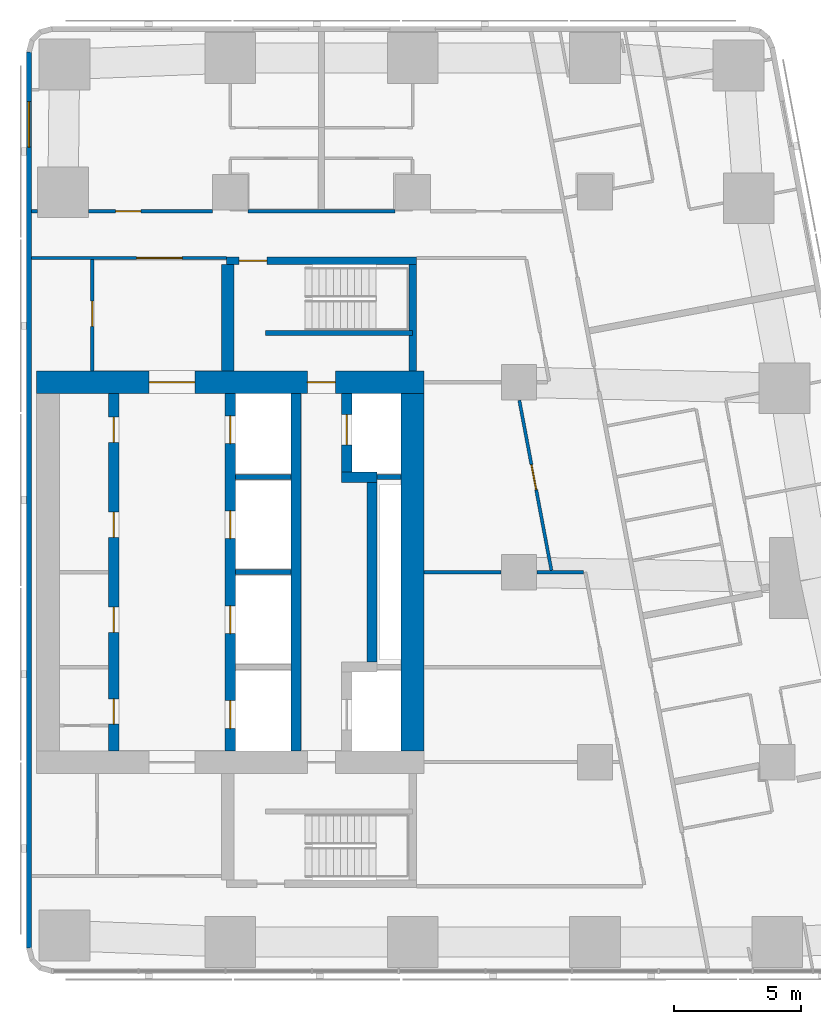
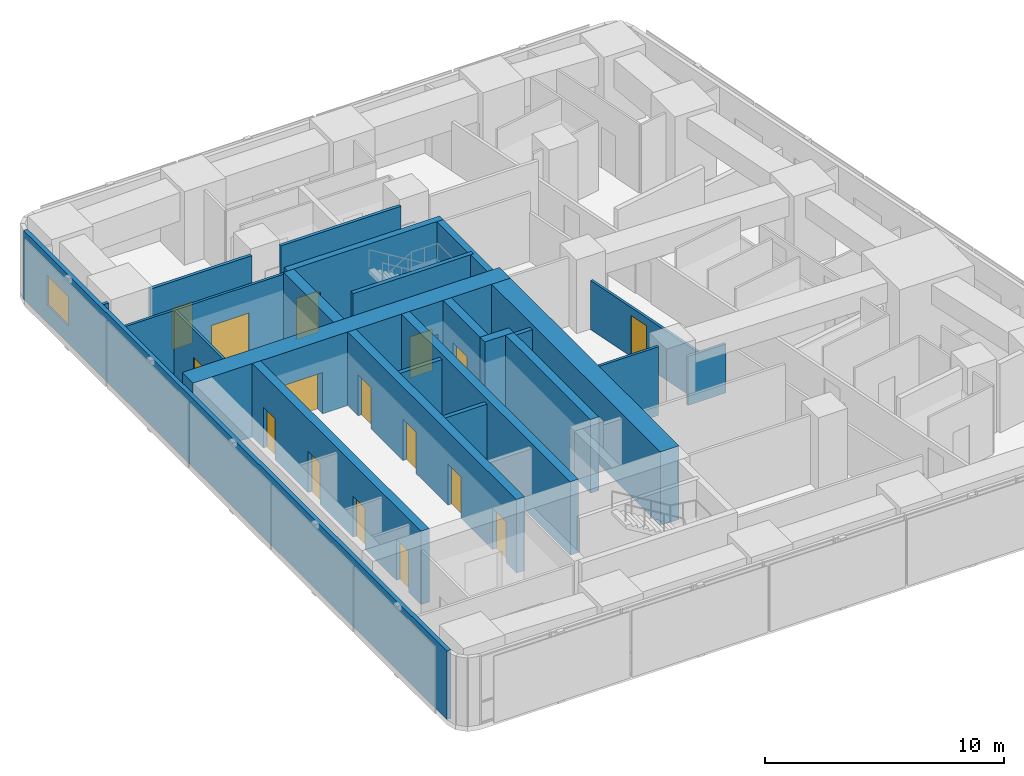
# One storey, part 6 of 11: 24 walls, 16 doors, 1 window, 17 openings.
"""IFC4 building model written with IfcOpenShell, lengths in metres."""

import ifcopenshell
import ifcopenshell.guid

model = None  # the IFC model being written
_history = None  # IfcOwnerHistory: only IFC2X3 demands one
_inside = {}  # id of a spatial element -> (the spatial element, [elements in it])
_under = {}  # id of a project, library or spatial element -> (it, [spatial elements below it])
_declared = {}  # id of a project -> (the project, [libraries it declares])
_typed = {}  # id of a type object -> (the type object, [elements of that type])
_made_of = {}  # id of a material, layer set ... -> (it, [elements and type objects made of it])


def new_model(schema):
    """Start an empty IFC model of exactly this schema.

    Asked for "IFC4X3", IfcOpenShell would pick the latest addendum, in which some entities
    have other attributes; the version numbers below select the first issue.
    IFC2X3 requires an IfcOwnerHistory on every rooted entity: one is made here for all.
    """
    global model, _history
    if schema == "IFC4X3":
        model = ifcopenshell.file(schema_version=(4, 3, 0, 0))
    else:
        model = ifcopenshell.file(schema=schema)
    _inside.clear()
    _under.clear()
    _declared.clear()
    _typed.clear()
    _made_of.clear()
    _history = None
    if model.schema == "IFC2X3":
        org = make("IfcOrganization", Name="unknown")
        user = make(
            "IfcPersonAndOrganization",
            ThePerson=make("IfcPerson", FamilyName="unknown"),
            TheOrganization=org,
        )
        app = make(
            "IfcApplication",
            ApplicationDeveloper=org,
            Version="unknown",
            ApplicationFullName="unknown",
            ApplicationIdentifier="unknown",
        )
        _history = make(
            "IfcOwnerHistory",
            OwningUser=user,
            OwningApplication=app,
            ChangeAction="ADDED",
            CreationDate=0,
        )
    return model


def make(cls, **values):
    """One entity of the class cls with the attributes given. An attribute that is None is left unset."""
    return model.create_entity(
        cls, **{name: value for name, value in values.items() if value is not None}
    )


def rooted(cls, **values):
    """An entity with a GlobalId (a new one), such as an element, a storey or a relation."""
    return make(cls, GlobalId=ifcopenshell.guid.new(), OwnerHistory=_history, **values)


def si_unit(unit_type, name, prefix=None):
    """IfcSIUnit, for example si_unit("LENGTHUNIT", "METRE", prefix="MILLI")."""
    return make("IfcSIUnit", UnitType=unit_type, Prefix=prefix, Name=name)


def assignment(units):
    """IfcUnitAssignment: the units of a project."""
    return None if units is None else make("IfcUnitAssignment", Units=units)


def point(xyz):
    """IfcCartesianPoint."""
    return None if xyz is None else make("IfcCartesianPoint", Coordinates=xyz)


def direction(xyz):
    """IfcDirection."""
    return None if xyz is None else make("IfcDirection", DirectionRatios=xyz)


def frame(location, z_axis=None, x_axis=None):
    """IfcAxis2Placement3D, a coordinate frame: its origin and axes. An axis left out is left unset."""
    return make(
        "IfcAxis2Placement3D",
        Location=point(location),
        Axis=direction(z_axis),
        RefDirection=direction(x_axis),
    )


def frame_2d(location, x_axis=None):
    """IfcAxis2Placement2D, a coordinate frame in the plane: its origin and x axis."""
    return make(
        "IfcAxis2Placement2D", Location=point(location), RefDirection=direction(x_axis)
    )


def origin():
    """The frame at (0, 0, 0) with its axes left unset."""
    return frame((0.0, 0.0, 0.0))


def place(relative_to, where):
    """IfcLocalPlacement: puts the frame where relative to a parent placement (None: the world)."""
    return make(
        "IfcLocalPlacement", PlacementRelTo=relative_to, RelativePlacement=where
    )


def context(
    kind, dimensions, precision=None, world=None, true_north=None, identifier=None
):
    """IfcGeometricRepresentationContext, for example the 3D "Model" context."""
    return make(
        "IfcGeometricRepresentationContext",
        ContextIdentifier=identifier,
        ContextType=kind,
        CoordinateSpaceDimension=dimensions,
        Precision=precision,
        WorldCoordinateSystem=world,
        TrueNorth=true_north,
    )


def subcontext(parent, identifier, kind, view, scale=None):
    """IfcGeometricRepresentationSubContext, for example "Body" below "Model"."""
    return make(
        "IfcGeometricRepresentationSubContext",
        ContextIdentifier=identifier,
        ContextType=kind,
        ParentContext=parent,
        TargetScale=scale,
        TargetView=view,
    )


def project(units=None, contexts=None):
    """IfcProject with its units and contexts."""
    return rooted(
        "IfcProject",
        Name="project",
        RepresentationContexts=contexts,
        UnitsInContext=assignment(units),
    )


def spatial(cls, under=None, at=None, **own):
    """A site, building, storey or space (cls), placed at a placement, below another one or the project."""
    s = rooted(cls, ObjectPlacement=at, **own)
    if under is not None:
        _under.setdefault(under.id(), (under, []))[1].append(s)
    return s


def profile(cls, at=None, kind="AREA", **sizes):
    """A parametric profile (cls). Its sizes go by their IFC names, for example OverallWidth=200.0."""
    return make(cls, ProfileType=kind, Position=at, **sizes)


def rectangle(**sizes):
    """IfcRectangleProfileDef."""
    return profile("IfcRectangleProfileDef", **sizes)


def extrude(swept, where, along, depth):
    """IfcExtrudedAreaSolid: the profile swept, set in the frame where, extruded along a direction by depth."""
    return make(
        "IfcExtrudedAreaSolid",
        SweptArea=swept,
        Position=where,
        ExtrudedDirection=direction(along),
        Depth=depth,
    )


def shape(context_of_items, identifier, shape_type, items):
    """IfcShapeRepresentation: the items that make up one representation, for example the "Body"."""
    return make(
        "IfcShapeRepresentation",
        ContextOfItems=context_of_items,
        RepresentationIdentifier=identifier,
        RepresentationType=shape_type,
        Items=items,
    )


def material(Name=None, Category=None):
    """IfcMaterial."""
    return make("IfcMaterial", Name=Name, Category=Category)


def layer(
    of_material, thickness, ventilated=None, Name=None, Category=None, Priority=None
):
    """IfcMaterialLayer: one layer of a wall or slab, of a material (None: an air gap)."""
    return make(
        "IfcMaterialLayer",
        Material=of_material,
        LayerThickness=thickness,
        IsVentilated=ventilated,
        Name=Name,
        Category=Category,
        Priority=Priority,
    )


def layer_set(layers, Name=None):
    """IfcMaterialLayerSet."""
    return make("IfcMaterialLayerSet", MaterialLayers=layers, LayerSetName=Name)


def made_of(thing, what):
    """Note that an element or type object is made of a material, layer set ...; save() writes the relation."""
    if what is not None:
        _made_of.setdefault(what.id(), (what, []))[1].append(thing)
    return thing


def type_object(cls, material=None, **own):
    """A type object (cls), such as IfcWallType, which elements share."""
    return made_of(rooted(cls, **own), material)


def element(
    cls,
    number,
    at=None,
    inside=None,
    cuts=None,
    type_object=None,
    material=None,
    context=None,
    identifier="Body",
    shape_type=None,
    held_by="IfcProductDefinitionShape",
    body=None,
    shapes=None,
    **own,
):
    """One element of the class cls, such as IfcWall. Its Tag is "e" and its number.

    at: its placement. inside: the storey or other place that contains it. cuts: it is an
    opening in that element (IfcRelVoidsElement). A single representation is given by context,
    identifier, shape_type and body (its items); several are given by shapes. held_by: the class
    of the entity that holds the representations. save() writes the other relations.
    """
    e = rooted(cls, Tag="e%d" % number, ObjectPlacement=at, **own)
    if body is not None:
        shapes = [shape(context, identifier, shape_type, body)]
    if shapes is not None:
        e.Representation = make(held_by, Representations=shapes)
    if inside is not None:
        _inside.setdefault(inside.id(), (inside, []))[1].append(e)
    if cuts is not None:
        rooted(
            "IfcRelVoidsElement", RelatingBuildingElement=cuts, RelatedOpeningElement=e
        )
    if type_object is not None:
        _typed.setdefault(type_object.id(), (type_object, []))[1].append(e)
    return made_of(e, material)


def fill(opening, filler):
    """IfcRelFillsElement: the door or window that sits in an opening."""
    return rooted(
        "IfcRelFillsElement",
        RelatingOpeningElement=opening,
        RelatedBuildingElement=filler,
    )


def aggregate(whole, parts):
    """IfcRelAggregates: a whole, such as a stair, and the parts it consists of."""
    return rooted("IfcRelAggregates", RelatingObject=whole, RelatedObjects=parts)


def save(model, path):
    """Write the relations noted so far, then the file.

    IfcRelAggregates (storeys below a building ...), IfcRelContainedInSpatialStructure (elements
    in a storey), IfcRelDefinesByType, IfcRelAssociatesMaterial and IfcRelDeclares: one each for
    every whole, place, type object, material and project.
    """
    for whole, parts in _under.values():
        aggregate(whole, parts)
    for where, things in _inside.values():
        rooted(
            "IfcRelContainedInSpatialStructure",
            RelatedElements=things,
            RelatingStructure=where,
        )
    for kind, things in _typed.values():
        rooted("IfcRelDefinesByType", RelatedObjects=things, RelatingType=kind)
    for what, things in _made_of.values():
        rooted("IfcRelAssociatesMaterial", RelatedObjects=things, RelatingMaterial=what)
    for by, libraries in _declared.values():
        rooted("IfcRelDeclares", RelatingContext=by, RelatedDefinitions=libraries)
    model.write(path)


model = new_model("IFC4")

# Units and contexts
model_context = context("Model", 3, precision=1e-05, world=origin(), true_north=direction((0.0, 1.0)))
body_context = subcontext(model_context, "Body", "Model", "MODEL_VIEW")
ifc_project = project(units=[si_unit("LENGTHUNIT", "METRE"), si_unit("AREAUNIT", "SQUARE_METRE"), si_unit("VOLUMEUNIT", "CUBIC_METRE"), si_unit("PLANEANGLEUNIT", "RADIAN"), si_unit("MASSUNIT", "GRAM", prefix="KILO")], contexts=[model_context])

# Site, building, storey
site_placement = place(None, origin())
site = spatial("IfcSite", under=ifc_project, at=site_placement, CompositionType="ELEMENT")
building_placement = place(site_placement, origin())
building = spatial("IfcBuilding", under=site, at=building_placement, Name="Sheger Commons Tower", CompositionType="ELEMENT")
storey_placement = place(building_placement, frame((0.0, 0.0, 255.35009765625)))
storey = spatial("IfcBuildingStorey", under=building, at=storey_placement, Name="L65", CompositionType="ELEMENT", Elevation=255.35009765625)

# Wall, openings, doors
ifc_material_1 = material(Name="Concrete C50/60", Category="concrete")
ifc_layer_1 = layer(ifc_material_1, 0.39990234375)
ifc_layer_set_1 = layer_set([ifc_layer_1], Name="CORE INNER WALL 400")
wall_type_1 = type_object("IfcWallType", Name="CORE INNER WALL 400", PredefinedType="SHEAR", material=ifc_layer_set_1)
wall_1_placement = place(storey_placement, frame((17.0, 15.449951171875, 0.0), z_axis=(0.0, 0.0, 1.0), x_axis=(0.0, 1.0, 0.0)))
wall_1 = element("IfcWall", 1, at=wall_1_placement, inside=storey, type_object=wall_type_1, Name="Core inner wall A L65", PredefinedType="SHEAR", context=body_context, shape_type="SweptSolid", body=[
    extrude(rectangle(XDim=14.10009765625, YDim=0.39990234375, at=frame_2d((7.050048828125, 0.0))), origin(), (0.0, 0.0, 1.0), 3.75),
])
opening_1_placement = place(wall_1_placement, frame((1.050048828125, 0.0, 0.0)))
opening_1 = element("IfcOpeningElement", 2, at=opening_1_placement, cuts=wall_1, Name="Opening D4", PredefinedType="OPENING", context=body_context, shape_type="SweptSolid", body=[
    extrude(rectangle(XDim=1.0, YDim=2.10009765625, at=frame_2d((0.5, 1.050048828125))), frame((0.0, 0.2099609375, 0.0), z_axis=(0.0, -1.0, 0.0), x_axis=(1.0, 0.0, 0.0)), (0.0, 0.0, 1.0), 0.419921875),
])
opening_2_placement = place(wall_1_placement, frame((4.675048828125, 0.0, 0.0)))
opening_2 = element("IfcOpeningElement", 3, at=opening_2_placement, cuts=wall_1, Name="Opening D4", PredefinedType="OPENING", context=body_context, shape_type="SweptSolid", body=[
    extrude(rectangle(XDim=1.0, YDim=2.10009765625, at=frame_2d((0.5, 1.050048828125))), frame((0.0, 0.2099609375, 0.0), z_axis=(0.0, -1.0, 0.0), x_axis=(1.0, 0.0, 0.0)), (0.0, 0.0, 1.0), 0.419921875),
])
opening_3_placement = place(wall_1_placement, frame((8.425048828125, 0.0, 0.0)))
opening_3 = element("IfcOpeningElement", 4, at=opening_3_placement, cuts=wall_1, Name="Opening D4", PredefinedType="OPENING", context=body_context, shape_type="SweptSolid", body=[
    extrude(rectangle(XDim=1.0, YDim=2.10009765625, at=frame_2d((0.5, 1.050048828125))), frame((0.0, 0.2099609375, 0.0), z_axis=(0.0, -1.0, 0.0), x_axis=(1.0, 0.0, 0.0)), (0.0, 0.0, 1.0), 0.419921875),
])
opening_4_placement = place(wall_1_placement, frame((12.175048828125, 0.0, 0.0)))
opening_4 = element("IfcOpeningElement", 5, at=opening_4_placement, cuts=wall_1, Name="Opening D4", PredefinedType="OPENING", context=body_context, shape_type="SweptSolid", body=[
    extrude(rectangle(XDim=1.0, YDim=2.10009765625, at=frame_2d((0.5, 1.050048828125))), frame((0.0, 0.2099609375, 0.0), z_axis=(0.0, -1.0, 0.0), x_axis=(1.0, 0.0, 0.0)), (0.0, 0.0, 1.0), 0.419921875),
])
ifc_material_2 = material(Name="Steel door set, fire rated", Category="steel")
door_type_1 = type_object("IfcDoorType", Name="SERVICE DOOR 1000x2100", OperationType="NOTDEFINED", PredefinedType="DOOR", material=ifc_material_2)
door_1_placement = place(opening_1_placement, origin())
door_1 = element("IfcDoor", 6, at=door_1_placement, inside=storey, type_object=door_type_1, Name="Cleaner's store door", OperationType="SINGLE_SWING_LEFT", OverallHeight=2.10009765625, OverallWidth=1.0, PredefinedType="DOOR", context=body_context, shape_type="SweptSolid", body=[
    extrude(rectangle(XDim=1.0, YDim=2.10009765625, at=frame_2d((0.5, 1.050048828125))), frame((0.0, 0.02490234375, 0.0), z_axis=(0.0, -1.0, 0.0), x_axis=(1.0, 0.0, 0.0)), (0.0, 0.0, 1.0), 0.050048828125),
])
fill(opening_1, door_1)
door_2_placement = place(opening_2_placement, origin())
door_2 = element("IfcDoor", 7, at=door_2_placement, inside=storey, type_object=door_type_1, Name="IT and telecom room door", OperationType="SINGLE_SWING_RIGHT", OverallHeight=2.10009765625, OverallWidth=1.0, PredefinedType="DOOR", context=body_context, shape_type="SweptSolid", body=[
    extrude(rectangle(XDim=1.0, YDim=2.10009765625, at=frame_2d((0.5, 1.050048828125))), frame((0.0, 0.02490234375, 0.0), z_axis=(0.0, -1.0, 0.0), x_axis=(1.0, 0.0, 0.0)), (0.0, 0.0, 1.0), 0.050048828125),
])
fill(opening_2, door_2)
door_3_placement = place(opening_3_placement, origin())
door_3 = element("IfcDoor", 8, at=door_3_placement, inside=storey, type_object=door_type_1, Name="Residents' pantry and vending room door", OperationType="SINGLE_SWING_LEFT", OverallHeight=2.10009765625, OverallWidth=1.0, PredefinedType="DOOR", context=body_context, shape_type="SweptSolid", body=[
    extrude(rectangle(XDim=1.0, YDim=2.10009765625, at=frame_2d((0.5, 1.050048828125))), frame((0.0, 0.02490234375, 0.0), z_axis=(0.0, -1.0, 0.0), x_axis=(1.0, 0.0, 0.0)), (0.0, 0.0, 1.0), 0.050048828125),
])
fill(opening_3, door_3)
door_4_placement = place(opening_4_placement, origin())
door_4 = element("IfcDoor", 9, at=door_4_placement, inside=storey, type_object=door_type_1, Name="Residents' pantry and vending room door", OperationType="SINGLE_SWING_RIGHT", OverallHeight=2.10009765625, OverallWidth=1.0, PredefinedType="DOOR", context=body_context, shape_type="SweptSolid", body=[
    extrude(rectangle(XDim=1.0, YDim=2.10009765625, at=frame_2d((0.5, 1.050048828125))), frame((0.0, 0.02490234375, 0.0), z_axis=(0.0, -1.0, 0.0), x_axis=(1.0, 0.0, 0.0)), (0.0, 0.0, 1.0), 0.050048828125),
])
fill(opening_4, door_4)

wall_2_placement = place(storey_placement, frame((21.60009765625, 15.449951171875, 0.0), z_axis=(0.0, 0.0, 1.0), x_axis=(0.0, 1.0, 0.0)))
wall_2 = element("IfcWall", 10, at=wall_2_placement, inside=storey, type_object=wall_type_1, Name="Core inner wall L L65", PredefinedType="SHEAR", context=body_context, shape_type="SweptSolid", body=[
    extrude(rectangle(XDim=14.10009765625, YDim=0.39990234375, at=frame_2d((7.050048828125, 0.0))), origin(), (0.0, 0.0, 1.0), 3.75),
])
opening_5_placement = place(wall_2_placement, frame((0.875, 0.0, 0.0)))
opening_5 = element("IfcOpeningElement", 11, at=opening_5_placement, cuts=wall_2, Name="Opening LD", PredefinedType="OPENING", context=body_context, shape_type="SweptSolid", body=[
    extrude(rectangle(XDim=1.10009765625, YDim=2.10009765625, at=frame_2d((0.550048828125, 1.050048828125))), frame((0.0, 0.2099609375, 0.0), z_axis=(0.0, -1.0, 0.0), x_axis=(1.0, 0.0, 0.0)), (0.0, 0.0, 1.0), 0.419921875),
])
opening_6_placement = place(wall_2_placement, frame((4.625, 0.0, 0.0)))
opening_6 = element("IfcOpeningElement", 12, at=opening_6_placement, cuts=wall_2, Name="Opening LD", PredefinedType="OPENING", context=body_context, shape_type="SweptSolid", body=[
    extrude(rectangle(XDim=1.10009765625, YDim=2.10009765625, at=frame_2d((0.550048828125, 1.050048828125))), frame((0.0, 0.2099609375, 0.0), z_axis=(0.0, -1.0, 0.0), x_axis=(1.0, 0.0, 0.0)), (0.0, 0.0, 1.0), 0.419921875),
])
opening_7_placement = place(wall_2_placement, frame((8.375, 0.0, 0.0)))
opening_7 = element("IfcOpeningElement", 13, at=opening_7_placement, cuts=wall_2, Name="Opening LD", PredefinedType="OPENING", context=body_context, shape_type="SweptSolid", body=[
    extrude(rectangle(XDim=1.10009765625, YDim=2.10009765625, at=frame_2d((0.550048828125, 1.050048828125))), frame((0.0, 0.2099609375, 0.0), z_axis=(0.0, -1.0, 0.0), x_axis=(1.0, 0.0, 0.0)), (0.0, 0.0, 1.0), 0.419921875),
])
opening_8_placement = place(wall_2_placement, frame((12.125, 0.0, 0.0)))
opening_8 = element("IfcOpeningElement", 14, at=opening_8_placement, cuts=wall_2, Name="Opening LD", PredefinedType="OPENING", context=body_context, shape_type="SweptSolid", body=[
    extrude(rectangle(XDim=1.10009765625, YDim=2.10009765625, at=frame_2d((0.550048828125, 1.050048828125))), frame((0.0, 0.2099609375, 0.0), z_axis=(0.0, -1.0, 0.0), x_axis=(1.0, 0.0, 0.0)), (0.0, 0.0, 1.0), 0.419921875),
])
ifc_material_3 = material(Name="Steel door set, fire rated", Category="steel")
door_type_2 = type_object("IfcDoorType", Name="LIFT LANDING DOOR 1100x2100", OperationType="DOUBLE_DOOR_SLIDING", PredefinedType="DOOR", material=ifc_material_3)
door_5_placement = place(opening_5_placement, origin())
door_5 = element("IfcDoor", 15, at=door_5_placement, inside=storey, type_object=door_type_2, Name="Lift LB1 landing door", OperationType="DOUBLE_DOOR_SLIDING", OverallHeight=2.10009765625, OverallWidth=1.10009765625, PredefinedType="DOOR", context=body_context, shape_type="SweptSolid", body=[
    extrude(rectangle(XDim=1.10009765625, YDim=2.10009765625, at=frame_2d((0.550048828125, 1.050048828125))), frame((0.0, 0.02490234375, 0.0), z_axis=(0.0, -1.0, 0.0), x_axis=(1.0, 0.0, 0.0)), (0.0, 0.0, 1.0), 0.050048828125),
])
fill(opening_5, door_5)
door_6_placement = place(opening_6_placement, origin())
door_6 = element("IfcDoor", 16, at=door_6_placement, inside=storey, type_object=door_type_2, Name="Lift LB2 landing door", OperationType="DOUBLE_DOOR_SLIDING", OverallHeight=2.10009765625, OverallWidth=1.10009765625, PredefinedType="DOOR", context=body_context, shape_type="SweptSolid", body=[
    extrude(rectangle(XDim=1.10009765625, YDim=2.10009765625, at=frame_2d((0.550048828125, 1.050048828125))), frame((0.0, 0.02490234375, 0.0), z_axis=(0.0, -1.0, 0.0), x_axis=(1.0, 0.0, 0.0)), (0.0, 0.0, 1.0), 0.050048828125),
])
fill(opening_6, door_6)
door_7_placement = place(opening_7_placement, origin())
door_7 = element("IfcDoor", 17, at=door_7_placement, inside=storey, type_object=door_type_2, Name="Lift LB3 landing door", OperationType="DOUBLE_DOOR_SLIDING", OverallHeight=2.10009765625, OverallWidth=1.10009765625, PredefinedType="DOOR", context=body_context, shape_type="SweptSolid", body=[
    extrude(rectangle(XDim=1.10009765625, YDim=2.10009765625, at=frame_2d((0.550048828125, 1.050048828125))), frame((0.0, 0.02490234375, 0.0), z_axis=(0.0, -1.0, 0.0), x_axis=(1.0, 0.0, 0.0)), (0.0, 0.0, 1.0), 0.050048828125),
])
fill(opening_7, door_7)
door_8_placement = place(opening_8_placement, origin())
door_8 = element("IfcDoor", 18, at=door_8_placement, inside=storey, type_object=door_type_2, Name="Lift LB4 landing door", OperationType="DOUBLE_DOOR_SLIDING", OverallHeight=2.10009765625, OverallWidth=1.10009765625, PredefinedType="DOOR", context=body_context, shape_type="SweptSolid", body=[
    extrude(rectangle(XDim=1.10009765625, YDim=2.10009765625, at=frame_2d((0.550048828125, 1.050048828125))), frame((0.0, 0.02490234375, 0.0), z_axis=(0.0, -1.0, 0.0), x_axis=(1.0, 0.0, 0.0)), (0.0, 0.0, 1.0), 0.050048828125),
])
fill(opening_8, door_8)

# Walls
wall_3_placement = place(storey_placement, frame((24.199951171875, 15.449951171875, 0.0), z_axis=(0.0, 0.0, 1.0), x_axis=(0.0, 1.0, 0.0)))
element("IfcWall", 19, at=wall_3_placement, inside=storey, type_object=wall_type_1, Name="Core inner wall B L65", PredefinedType="SHEAR", context=body_context, shape_type="SweptSolid", body=[
    extrude(rectangle(XDim=14.10009765625, YDim=0.39990234375, at=frame_2d((7.050048828125, 0.0))), origin(), (0.0, 0.0, 1.0), 3.75),
])
wall_4_placement = place(storey_placement, frame((27.199951171875, 18.949951171875, 0.0), z_axis=(0.0, 0.0, 1.0), x_axis=(0.0, 1.0, 0.0)))
element("IfcWall", 20, at=wall_4_placement, inside=storey, type_object=wall_type_1, Name="Core inner wall F middle L65", PredefinedType="SHEAR", context=body_context, shape_type="SweptSolid", body=[
    extrude(rectangle(XDim=7.10009765625, YDim=0.39990234375, at=frame_2d((3.550048828125, 0.0))), origin(), (0.0, 0.0, 1.0), 3.75),
])
wall_5_placement = place(storey_placement, frame((26.0, 26.25, 0.0), z_axis=(0.0, 0.0, 1.0), x_axis=(1.0, 0.0, 0.0)))
element("IfcWall", 21, at=wall_5_placement, inside=storey, type_object=wall_type_1, Name="Core inner wall F north return L65", PredefinedType="SHEAR", context=body_context, shape_type="SweptSolid", body=[
    extrude(rectangle(XDim=1.39990234375, YDim=0.39990234375, at=frame_2d((0.699951171875, 0.0))), origin(), (0.0, 0.0, 1.0), 3.75),
])

# Wall, opening, door
wall_6_placement = place(storey_placement, frame((26.199951171875, 26.449951171875, 0.0), z_axis=(0.0, 0.0, 1.0), x_axis=(0.0, 1.0, 0.0)))
wall_6 = element("IfcWall", 22, at=wall_6_placement, inside=storey, type_object=wall_type_1, Name="Core inner wall F north L65", PredefinedType="SHEAR", context=body_context, shape_type="SweptSolid", body=[
    extrude(rectangle(XDim=3.10009765625, YDim=0.39990234375, at=frame_2d((1.550048828125, 0.0))), origin(), (0.0, 0.0, 1.0), 3.75),
])
opening_9_placement = place(wall_6_placement, frame((1.074951171875, 0.0, 0.0)))
opening_9 = element("IfcOpeningElement", 23, at=opening_9_placement, cuts=wall_6, Name="Opening LD2", PredefinedType="OPENING", context=body_context, shape_type="SweptSolid", body=[
    extrude(rectangle(XDim=1.199951171875, YDim=2.10009765625, at=frame_2d((0.60009765625, 1.050048828125))), frame((0.0, 0.2099609375, 0.0), z_axis=(0.0, -1.0, 0.0), x_axis=(1.0, 0.0, 0.0)), (0.0, 0.0, 1.0), 0.419921875),
])
ifc_material_4 = material(Name="Steel door set, fire rated", Category="steel")
door_type_3 = type_object("IfcDoorType", Name="FIREFIGHTING LIFT LANDING DOOR 1200x2100", OperationType="DOUBLE_DOOR_SLIDING", PredefinedType="DOOR", material=ifc_material_4)
door_9_placement = place(opening_9_placement, origin())
door_9 = element("IfcDoor", 24, at=door_9_placement, inside=storey, type_object=door_type_3, Name="Lift FL2 landing door", OperationType="DOUBLE_DOOR_SLIDING", OverallHeight=2.10009765625, OverallWidth=1.199951171875, PredefinedType="DOOR", context=body_context, shape_type="SweptSolid", body=[
    extrude(rectangle(XDim=1.199951171875, YDim=2.10009765625, at=frame_2d((0.60009765625, 1.050048828125))), frame((0.0, 0.02490234375, 0.0), z_axis=(0.0, -1.0, 0.0), x_axis=(1.0, 0.0, 0.0)), (0.0, 0.0, 1.0), 0.050048828125),
])
fill(opening_9, door_9)

# Wall, openings, doors
ifc_material_5 = material(Name="Concrete C50/60", Category="concrete")
ifc_layer_2 = layer(ifc_material_5, 0.89990234375)
ifc_layer_set_2 = layer_set([ifc_layer_2], Name="CORE WALL 900")
wall_type_2 = type_object("IfcWallType", Name="CORE WALL 900", PredefinedType="SHEAR", material=ifc_layer_set_2)
wall_7_placement = place(storey_placement, frame((13.949951171875, 30.0, 0.0), z_axis=(0.0, 0.0, 1.0), x_axis=(1.0, 0.0, 0.0)))
wall_7 = element("IfcWall", 25, at=wall_7_placement, inside=storey, type_object=wall_type_2, Name="Core wall north L65", PredefinedType="SHEAR", context=body_context, shape_type="SweptSolid", body=[
    extrude(rectangle(XDim=15.300048828125, YDim=0.89990234375, at=frame_2d((7.64990234375, 0.0))), origin(), (0.0, 0.0, 1.0), 3.75),
])
opening_10_placement = place(wall_7_placement, frame((4.449951171875, 0.0, 0.0)))
opening_10 = element("IfcOpeningElement", 26, at=opening_10_placement, cuts=wall_7, Name="Opening D6", PredefinedType="OPENING", context=body_context, shape_type="SweptSolid", body=[
    extrude(rectangle(XDim=1.800048828125, YDim=2.10009765625, at=frame_2d((0.89990234375, 1.050048828125))), frame((0.0, 0.4599609375, 0.0), z_axis=(0.0, -1.0, 0.0), x_axis=(1.0, 0.0, 0.0)), (0.0, 0.0, 1.0), 0.919921875),
])
opening_11_placement = place(wall_7_placement, frame((10.699951171875, 0.0, 0.0)))
opening_11 = element("IfcOpeningElement", 27, at=opening_11_placement, cuts=wall_7, Name="Opening D5", PredefinedType="OPENING", context=body_context, shape_type="SweptSolid", body=[
    extrude(rectangle(XDim=1.10009765625, YDim=2.10009765625, at=frame_2d((0.550048828125, 1.050048828125))), frame((0.0, 0.4599609375, 0.0), z_axis=(0.0, -1.0, 0.0), x_axis=(1.0, 0.0, 0.0)), (0.0, 0.0, 1.0), 0.919921875),
])
ifc_material_6 = material(Name="Steel door set, fire rated", Category="steel")
door_type_4 = type_object("IfcDoorType", Name="LOBBY DOUBLE DOOR 1800x2100", OperationType="DOUBLE_DOOR_SINGLE_SWING", PredefinedType="DOOR", material=ifc_material_6)
door_10_placement = place(opening_10_placement, origin())
door_10 = element("IfcDoor", 28, at=door_10_placement, inside=storey, type_object=door_type_4, Name="Lift lobby door", OperationType="DOUBLE_DOOR_SINGLE_SWING", OverallHeight=2.10009765625, OverallWidth=1.800048828125, PredefinedType="DOOR", context=body_context, shape_type="SweptSolid", body=[
    extrude(rectangle(XDim=1.800048828125, YDim=2.10009765625, at=frame_2d((0.89990234375, 1.050048828125))), frame((0.0, 0.02490234375, 0.0), z_axis=(0.0, -1.0, 0.0), x_axis=(1.0, 0.0, 0.0)), (0.0, 0.0, 1.0), 0.050048828125),
])
fill(opening_10, door_10)
ifc_material_7 = material(Name="Steel door set, fire rated", Category="steel")
door_type_5 = type_object("IfcDoorType", Name="STAIR DOOR 1100x2100", OperationType="NOTDEFINED", PredefinedType="DOOR", material=ifc_material_7)
door_11_placement = place(opening_11_placement, origin())
door_11 = element("IfcDoor", 29, at=door_11_placement, inside=storey, type_object=door_type_5, Name="Fire-fighting lobby door", OperationType="SINGLE_SWING_LEFT", OverallHeight=2.10009765625, OverallWidth=1.10009765625, PredefinedType="DOOR", context=body_context, shape_type="SweptSolid", body=[
    extrude(rectangle(XDim=1.10009765625, YDim=2.10009765625, at=frame_2d((0.550048828125, 1.050048828125))), frame((0.0, 0.02490234375, 0.0), z_axis=(0.0, -1.0, 0.0), x_axis=(1.0, 0.0, 0.0)), (0.0, 0.0, 1.0), 0.050048828125),
])
fill(opening_11, door_11)

# Walls
wall_8_placement = place(storey_placement, frame((28.800048828125, 15.449951171875, 0.0), z_axis=(0.0, 0.0, 1.0), x_axis=(0.0, 1.0, 0.0)))
element("IfcWall", 30, at=wall_8_placement, inside=storey, type_object=wall_type_2, Name="Core wall east L65", PredefinedType="SHEAR", context=body_context, shape_type="SweptSolid", body=[
    extrude(rectangle(XDim=14.10009765625, YDim=0.89990234375, at=frame_2d((7.050048828125, 0.0))), origin(), (0.0, 0.0, 1.0), 3.75),
])
ifc_material_8 = material(Name="Hollow concrete block masonry, skimmed both sides", Category="masonry")
ifc_layer_3 = layer(ifc_material_8, 0.14990234375)
ifc_layer_set_3 = layer_set([ifc_layer_3], Name="CORRIDOR WALL 150")
wall_type_3 = type_object("IfcWallType", Name="CORRIDOR WALL 150", PredefinedType="SOLIDWALL", material=ifc_layer_set_3)
wall_9_placement = place(storey_placement, frame((13.75, 36.75, 0.0), z_axis=(0.0, 0.0, 1.0), x_axis=(1.0, 0.0, 0.0)))
element("IfcWall", 31, at=wall_9_placement, inside=storey, type_object=wall_type_3, Name="Corridor wall L65", PredefinedType="SOLIDWALL", context=body_context, shape_type="SweptSolid", body=[
    extrude(rectangle(XDim=0.2490234375, YDim=0.14990234375, at=frame_2d((0.12451171875, 0.0))), origin(), (0.0, 0.0, 1.0), 3.5),
])

# Wall, opening, door
wall_10_placement = place(storey_placement, frame((16.0009765625, 36.75, 0.0), z_axis=(0.0, 0.0, 1.0), x_axis=(1.0, 0.0, 0.0)))
wall_10 = element("IfcWall", 32, at=wall_10_placement, inside=storey, type_object=wall_type_3, Name="Corridor wall L65", PredefinedType="SOLIDWALL", context=body_context, shape_type="SweptSolid", body=[
    extrude(rectangle(XDim=4.89794921875, YDim=0.14990234375, at=frame_2d((2.448974609375, 0.0))), origin(), (0.0, 0.0, 1.0), 3.5),
])
opening_12_placement = place(wall_10_placement, frame((1.073974609375, 0.0, 0.0)))
opening_12 = element("IfcOpeningElement", 33, at=opening_12_placement, cuts=wall_10, Name="Opening D1", PredefinedType="OPENING", context=body_context, shape_type="SweptSolid", body=[
    extrude(rectangle(XDim=1.0, YDim=2.10009765625, at=frame_2d((0.5, 1.050048828125))), frame((0.0, 0.0849609375, 0.0), z_axis=(0.0, -1.0, 0.0), x_axis=(1.0, 0.0, 0.0)), (0.0, 0.0, 1.0), 0.169921875),
])
ifc_material_9 = material(Name="Steel door set, fire rated", Category="steel")
door_type_6 = type_object("IfcDoorType", Name="FLAT ENTRANCE DOOR 1000x2100", OperationType="NOTDEFINED", PredefinedType="DOOR", material=ifc_material_9)
door_12_placement = place(opening_12_placement, origin())
door_12 = element("IfcDoor", 34, at=door_12_placement, inside=storey, type_object=door_type_6, Name="Flat entrance door", OperationType="SINGLE_SWING_LEFT", OverallHeight=2.10009765625, OverallWidth=1.0, PredefinedType="DOOR", context=body_context, shape_type="SweptSolid", body=[
    extrude(rectangle(XDim=1.0, YDim=2.10009765625, at=frame_2d((0.5, 1.050048828125))), frame((0.0, 0.02490234375, 0.0), z_axis=(0.0, -1.0, 0.0), x_axis=(1.0, 0.0, 0.0)), (0.0, 0.0, 1.0), 0.050048828125),
])
fill(opening_12, door_12)

# Wall
wall_11_placement = place(storey_placement, frame((22.301025390625, 36.75, 0.0), z_axis=(0.0, 0.0, 1.0), x_axis=(1.0, 0.0, 0.0)))
element("IfcWall", 35, at=wall_11_placement, inside=storey, type_object=wall_type_3, Name="Corridor wall L65", PredefinedType="SOLIDWALL", context=body_context, shape_type="SweptSolid", body=[
    extrude(rectangle(XDim=5.798095703125, YDim=0.14990234375, at=frame_2d((2.89892578125, 0.0))), origin(), (0.0, 0.0, 1.0), 3.5),
])

# Wall, opening, window
ifc_material_10 = material(Name="Rendered concrete block masonry, dark grey", Category="masonry")
ifc_layer_4 = layer(ifc_material_10, 0.199951171875)
ifc_layer_set_4 = layer_set([ifc_layer_4], Name="FACADE WALL 200")
wall_type_4 = type_object("IfcWallType", Name="FACADE WALL 200", PredefinedType="SOLIDWALL", material=ifc_layer_set_4)
wall_12_placement = place(storey_placement, frame((13.64990234375, 43.037109375, 0.0), z_axis=(0.0, 0.0, 1.0), x_axis=(0.0, -1.0, 0.0)))
wall_12 = element("IfcWall", 36, at=wall_12_placement, inside=storey, type_object=wall_type_4, Name="Facade wall L65", PredefinedType="SOLIDWALL", context=body_context, shape_type="SweptSolid", body=[
    extrude(rectangle(XDim=35.3740234375, YDim=0.199951171875, at=frame_2d((17.68701171875, 0.0))), origin(), (0.0, 0.0, 1.0), 3.5),
])
opening_13_placement = place(wall_12_placement, frame((1.958984375, 0.0, 0.89990234375)))
opening_13 = element("IfcOpeningElement", 37, at=opening_13_placement, cuts=wall_12, Name="Opening W2", PredefinedType="OPENING", context=body_context, shape_type="SweptSolid", body=[
    extrude(rectangle(XDim=1.800048828125, YDim=1.5, at=frame_2d((0.89990234375, 0.75))), frame((0.0, 0.10986328125, 0.0), z_axis=(0.0, -1.0, 0.0), x_axis=(1.0, 0.0, 0.0)), (0.0, 0.0, 1.0), 0.219970703125),
])
ifc_material_11 = material(Name="Black aluminium frame, dark tinted double glazing", Category="aluminium")
window_type = type_object("IfcWindowType", Name="WINDOW W2 1800x1500", PartitioningType="SINGLE_PANEL", PredefinedType="WINDOW", material=ifc_material_11)
window_placement = place(opening_13_placement, origin())
window = element("IfcWindow", 38, at=window_placement, inside=storey, type_object=window_type, Name="Window W2 1800X1500", OverallHeight=1.5, OverallWidth=1.800048828125, PartitioningType="SINGLE_PANEL", PredefinedType="WINDOW", context=body_context, shape_type="SweptSolid", body=[
    extrude(rectangle(XDim=1.800048828125, YDim=1.5, at=frame_2d((0.89990234375, 0.75))), frame((0.0, 0.030029296875, 0.0), z_axis=(0.0, -1.0, 0.0), x_axis=(1.0, 0.0, 0.0)), (0.0, 0.0, 1.0), 0.06005859375),
])
fill(opening_13, window)

# Wall, opening, door
ifc_material_12 = material(Name="Gypsum board on steel studs, two layers each side, fire rated", Category="steel")
ifc_layer_5 = layer(ifc_material_12, 0.125)
ifc_layer_set_5 = layer_set([ifc_layer_5], Name="SERVICE WALL 125")
wall_type_5 = type_object("IfcWallType", Name="SERVICE WALL 125", PredefinedType="PARTITIONING", material=ifc_layer_set_5)
wall_13_placement = place(storey_placement, frame((13.75, 34.89990234375, 0.0), z_axis=(0.0, 0.0, 1.0), x_axis=(1.0, 0.0, 0.0)))
wall_13 = element("IfcWall", 39, at=wall_13_placement, inside=storey, type_object=wall_type_5, Name="Service room wall L65", PredefinedType="PARTITIONING", context=body_context, shape_type="SweptSolid", body=[
    extrude(rectangle(XDim=7.699951171875, YDim=0.125, at=frame_2d((3.85009765625, 0.0))), origin(), (0.0, 0.0, 1.0), 3.5),
])
opening_14_placement = place(wall_13_placement, frame((4.14990234375, 0.0, 0.0)))
opening_14 = element("IfcOpeningElement", 40, at=opening_14_placement, cuts=wall_13, Name="Opening D6", PredefinedType="OPENING", context=body_context, shape_type="SweptSolid", body=[
    extrude(rectangle(XDim=1.800048828125, YDim=2.10009765625, at=frame_2d((0.89990234375, 1.050048828125))), frame((0.0, 0.072509765625, 0.0), z_axis=(0.0, -1.0, 0.0), x_axis=(1.0, 0.0, 0.0)), (0.0, 0.0, 1.0), 0.14501953125),
])
door_13_placement = place(opening_14_placement, origin())
door_13 = element("IfcDoor", 41, at=door_13_placement, inside=storey, type_object=door_type_4, Name="Lift lobby north door", OperationType="DOUBLE_DOOR_SINGLE_SWING", OverallHeight=2.10009765625, OverallWidth=1.800048828125, PredefinedType="DOOR", context=body_context, shape_type="SweptSolid", body=[
    extrude(rectangle(XDim=1.800048828125, YDim=2.10009765625, at=frame_2d((0.89990234375, 1.050048828125))), frame((0.0, 0.02490234375, 0.0), z_axis=(0.0, -1.0, 0.0), x_axis=(1.0, 0.0, 0.0)), (0.0, 0.0, 1.0), 0.050048828125),
])
fill(opening_14, door_13)

wall_14_placement = place(storey_placement, frame((16.14990234375, 30.449951171875, 0.0), z_axis=(0.0, 0.0, 1.0), x_axis=(0.0, 1.0, 0.0)))
wall_14 = element("IfcWall", 42, at=wall_14_placement, inside=storey, type_object=wall_type_5, Name="Service room wall L65", PredefinedType="PARTITIONING", context=body_context, shape_type="SweptSolid", body=[
    extrude(rectangle(XDim=4.386962890625, YDim=0.125, at=frame_2d((2.193359375, 0.0))), origin(), (0.0, 0.0, 1.0), 3.5),
])
opening_15_placement = place(wall_14_placement, frame((1.75, 0.0, 0.0)))
opening_15 = element("IfcOpeningElement", 43, at=opening_15_placement, cuts=wall_14, Name="Opening D4", PredefinedType="OPENING", context=body_context, shape_type="SweptSolid", body=[
    extrude(rectangle(XDim=1.0, YDim=2.10009765625, at=frame_2d((0.5, 1.050048828125))), frame((0.0, 0.072509765625, 0.0), z_axis=(0.0, -1.0, 0.0), x_axis=(1.0, 0.0, 0.0)), (0.0, 0.0, 1.0), 0.14501953125),
])
door_14_placement = place(opening_15_placement, origin())
door_14 = element("IfcDoor", 44, at=door_14_placement, inside=storey, type_object=door_type_1, Name="Telecom room door", OperationType="SINGLE_SWING_RIGHT", OverallHeight=2.10009765625, OverallWidth=1.0, PredefinedType="DOOR", context=body_context, shape_type="SweptSolid", body=[
    extrude(rectangle(XDim=1.0, YDim=2.10009765625, at=frame_2d((0.5, 1.050048828125))), frame((0.0, 0.02490234375, 0.0), z_axis=(0.0, -1.0, 0.0), x_axis=(1.0, 0.0, 0.0)), (0.0, 0.0, 1.0), 0.050048828125),
])
fill(opening_15, door_14)

wall_15_placement = place(storey_placement, frame((34.280029296875, 22.573974609375, 0.0), z_axis=(0.0, 0.0, 1.0), x_axis=(-0.185610991981, 0.982623305064, 0.0)))
wall_15 = element("IfcWall", 45, at=wall_15_placement, inside=storey, type_object=wall_type_5, Name="Service room wall L65", PredefinedType="PARTITIONING", context=body_context, shape_type="SweptSolid", body=[
    extrude(rectangle(XDim=6.831787109375, YDim=0.125, at=frame_2d((3.416015625, 0.0))), origin(), (0.0, 0.0, 1.0), 2.5),
])
opening_16_placement = place(wall_15_placement, frame((3.240966796875, 0.0, 0.0)))
opening_16 = element("IfcOpeningElement", 46, at=opening_16_placement, cuts=wall_15, Name="Opening D4", PredefinedType="OPENING", context=body_context, shape_type="SweptSolid", body=[
    extrude(rectangle(XDim=1.0, YDim=2.10009765625, at=frame_2d((0.5, 1.050048828125))), frame((0.0, 0.072509765625, 0.0), z_axis=(0.0, -1.0, 0.0), x_axis=(1.0, 0.0, 0.0)), (0.0, 0.0, 1.0), 0.14501953125),
])
door_15_placement = place(opening_16_placement, origin())
door_15 = element("IfcDoor", 47, at=door_15_placement, inside=storey, type_object=door_type_1, Name="Residents' lounge door", OperationType="SINGLE_SWING_RIGHT", OverallHeight=2.10009765625, OverallWidth=1.0, PredefinedType="DOOR", context=body_context, shape_type="SweptSolid", body=[
    extrude(rectangle(XDim=1.0, YDim=2.10009765625, at=frame_2d((0.5, 1.050048828125))), frame((0.0, 0.02490234375, 0.0), z_axis=(0.0, -1.0, 0.0), x_axis=(1.0, 0.0, 0.0)), (0.0, 0.0, 1.0), 0.050048828125),
])
fill(opening_16, door_15)

# Walls
wall_16_placement = place(storey_placement, frame((29.25, 22.5, 0.0), z_axis=(0.0, 0.0, 1.0), x_axis=(1.0, 0.0, 0.0)))
element("IfcWall", 48, at=wall_16_placement, inside=storey, type_object=wall_type_5, Name="Service room wall L65", PredefinedType="PARTITIONING", context=body_context, shape_type="SweptSolid", body=[
    extrude(rectangle(XDim=3.049072265625, YDim=0.125, at=frame_2d((1.5244140625, 0.0))), origin(), (0.0, 0.0, 1.0), 3.5),
])
wall_17_placement = place(storey_placement, frame((33.700927734375, 22.5, 0.0), z_axis=(0.0, 0.0, 1.0), x_axis=(1.0, 0.0, 0.0)))
element("IfcWall", 49, at=wall_17_placement, inside=storey, type_object=wall_type_5, Name="Service room wall L65", PredefinedType="PARTITIONING", context=body_context, shape_type="SweptSolid", body=[
    extrude(rectangle(XDim=1.85498046875, YDim=0.125, at=frame_2d((0.927490234375, 0.0))), origin(), (0.0, 0.0, 1.0), 2.5),
])
ifc_material_13 = material(Name="Hollow concrete block masonry", Category="masonry")
ifc_layer_6 = layer(ifc_material_13, 0.199951171875)
ifc_layer_set_6 = layer_set([ifc_layer_6], Name="SHAFT WALL 200")
wall_type_6 = type_object("IfcWallType", Name="SHAFT WALL 200", PredefinedType="SOLIDWALL", material=ifc_layer_set_6)
for number, where, z_axis, x_axis, name in (
    (50, (21.800048828125, 22.5, 0.0), (0.0, 0.0, 1.0), (1.0, 0.0, 0.0), "Lift shaft wall L65"),
    (51, (21.800048828125, 26.25, 0.0), (0.0, 0.0, 1.0), (1.0, 0.0, 0.0), "Lift shaft wall L65"),
):
    element("IfcWall", number, at=place(storey_placement, frame(where, z_axis=z_axis, x_axis=x_axis)), inside=storey, type_object=wall_type_6, Name=name, PredefinedType="SOLIDWALL", context=body_context, shape_type="SweptSolid", body=[
        extrude(rectangle(XDim=2.199951171875, YDim=0.199951171875, at=frame_2d((1.10009765625, 0.0))), origin(), (0.0, 0.0, 1.0), 3.5),
    ])
wall_18_placement = place(storey_placement, frame((27.39990234375, 26.25, 0.0), z_axis=(0.0, 0.0, 1.0), x_axis=(1.0, 0.0, 0.0)))
element("IfcWall", 52, at=wall_18_placement, inside=storey, type_object=wall_type_6, Name="Lift shaft wall L65", PredefinedType="SOLIDWALL", context=body_context, shape_type="SweptSolid", body=[
    extrude(rectangle(XDim=0.9501953125, YDim=0.199951171875, at=frame_2d((0.47509765625, 0.0))), origin(), (0.0, 0.0, 1.0), 3.5),
])

# Wall, opening, door
ifc_material_14 = material(Name="Concrete C50/60", Category="concrete")
ifc_layer_7 = layer(ifc_material_14, 0.300048828125)
ifc_layer_set_7 = layer_set([ifc_layer_7], Name="STAIR CORE WALL 300")
wall_type_7 = type_object("IfcWallType", Name="STAIR CORE WALL 300", PredefinedType="SHEAR", material=ifc_layer_set_7)
wall_19_placement = place(storey_placement, frame((21.449951171875, 34.800048828125, 0.0), z_axis=(0.0, 0.0, 1.0), x_axis=(1.0, 0.0, 0.0)))
wall_19 = element("IfcWall", 53, at=wall_19_placement, inside=storey, type_object=wall_type_7, Name="STW-L65-S2N", PredefinedType="SHEAR", context=body_context, shape_type="SweptSolid", body=[
    extrude(rectangle(XDim=7.5, YDim=0.300048828125, at=frame_2d((3.75, 0.0))), origin(), (0.0, 0.0, 1.0), 3.75),
])
opening_17_placement = place(wall_19_placement, frame((0.5, 0.0, 0.0)))
opening_17 = element("IfcOpeningElement", 54, at=opening_17_placement, cuts=wall_19, Name="Opening D5", PredefinedType="OPENING", context=body_context, shape_type="SweptSolid", body=[
    extrude(rectangle(XDim=1.10009765625, YDim=2.10009765625, at=frame_2d((0.550048828125, 1.050048828125))), frame((0.0, 0.159912109375, 0.0), z_axis=(0.0, -1.0, 0.0), x_axis=(1.0, 0.0, 0.0)), (0.0, 0.0, 1.0), 0.320068359375),
])
door_16_placement = place(opening_17_placement, origin())
door_16 = element("IfcDoor", 55, at=door_16_placement, inside=storey, type_object=door_type_5, Name="Stair S2 door", OperationType="SINGLE_SWING_RIGHT", OverallHeight=2.10009765625, OverallWidth=1.10009765625, PredefinedType="DOOR", context=body_context, shape_type="SweptSolid", body=[
    extrude(rectangle(XDim=1.10009765625, YDim=2.10009765625, at=frame_2d((0.550048828125, 1.050048828125))), frame((0.0, 0.02490234375, 0.0), z_axis=(0.0, -1.0, 0.0), x_axis=(1.0, 0.0, 0.0)), (0.0, 0.0, 1.0), 0.050048828125),
])
fill(opening_17, door_16)

# Walls
wall_20_placement = place(storey_placement, frame((28.800048828125, 30.449951171875, 0.0), z_axis=(0.0, 0.0, 1.0), x_axis=(0.0, 1.0, 0.0)))
element("IfcWall", 56, at=wall_20_placement, inside=storey, type_object=wall_type_7, Name="STW-L65-S2E", PredefinedType="SHEAR", context=body_context, shape_type="SweptSolid", body=[
    extrude(rectangle(XDim=4.199951171875, YDim=0.300048828125, at=frame_2d((2.10009765625, 0.0))), origin(), (0.0, 0.0, 1.0), 3.75),
])
ifc_material_15 = material(Name="Concrete C50/60", Category="concrete")
ifc_layer_8 = layer(ifc_material_15, 0.5)
ifc_layer_set_8 = layer_set([ifc_layer_8], Name="STAIR CORE WALL 500")
wall_type_8 = type_object("IfcWallType", Name="STAIR CORE WALL 500", PredefinedType="SHEAR", material=ifc_layer_set_8)
wall_21_placement = place(storey_placement, frame((21.5, 30.449951171875, 0.0), z_axis=(0.0, 0.0, 1.0), x_axis=(0.0, 1.0, 0.0)))
element("IfcWall", 57, at=wall_21_placement, inside=storey, type_object=wall_type_8, Name="STW-L65-S2W", PredefinedType="SHEAR", context=body_context, shape_type="SweptSolid", body=[
    extrude(rectangle(XDim=4.199951171875, YDim=0.5, at=frame_2d((2.10009765625, 0.0))), origin(), (0.0, 0.0, 1.0), 3.75),
])
ifc_material_16 = material(Name="Concrete C50/60", Category="concrete")
ifc_layer_9 = layer(ifc_material_16, 0.199951171875)
ifc_layer_set_9 = layer_set([ifc_layer_9], Name="STAIR SPINE WALL 200")
wall_type_9 = type_object("IfcWallType", Name="STAIR SPINE WALL 200", PredefinedType="SHEAR", material=ifc_layer_set_9)
wall_22_placement = place(storey_placement, frame((23.0, 31.949951171875, 0.0), z_axis=(0.0, 0.0, 1.0), x_axis=(1.0, 0.0, 0.0)))
element("IfcWall", 58, at=wall_22_placement, inside=storey, type_object=wall_type_9, Name="Stair spine wall L65", PredefinedType="SHEAR", context=body_context, shape_type="SweptSolid", body=[
    extrude(rectangle(XDim=5.800048828125, YDim=0.199951171875, at=frame_2d((2.89990234375, 0.0))), origin(), (0.0, 0.0, 1.0), 3.75),
])

save(model, "model.ifc")
